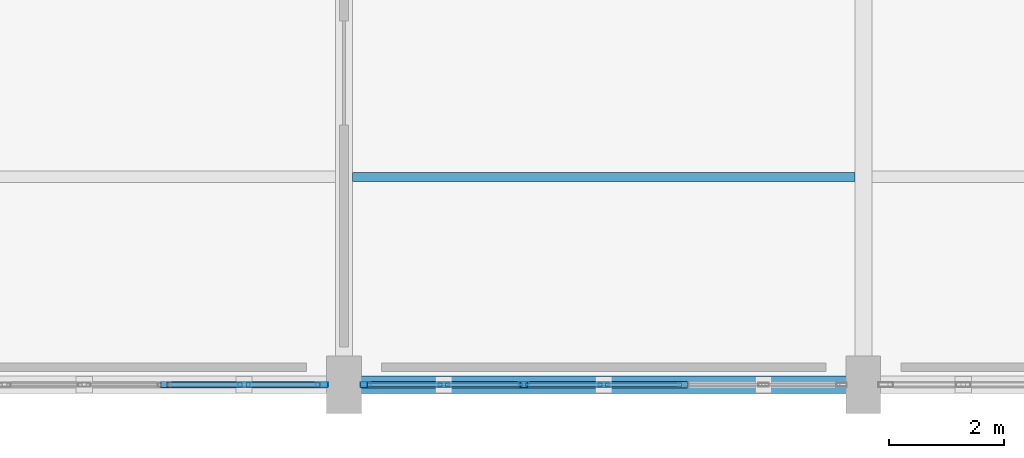
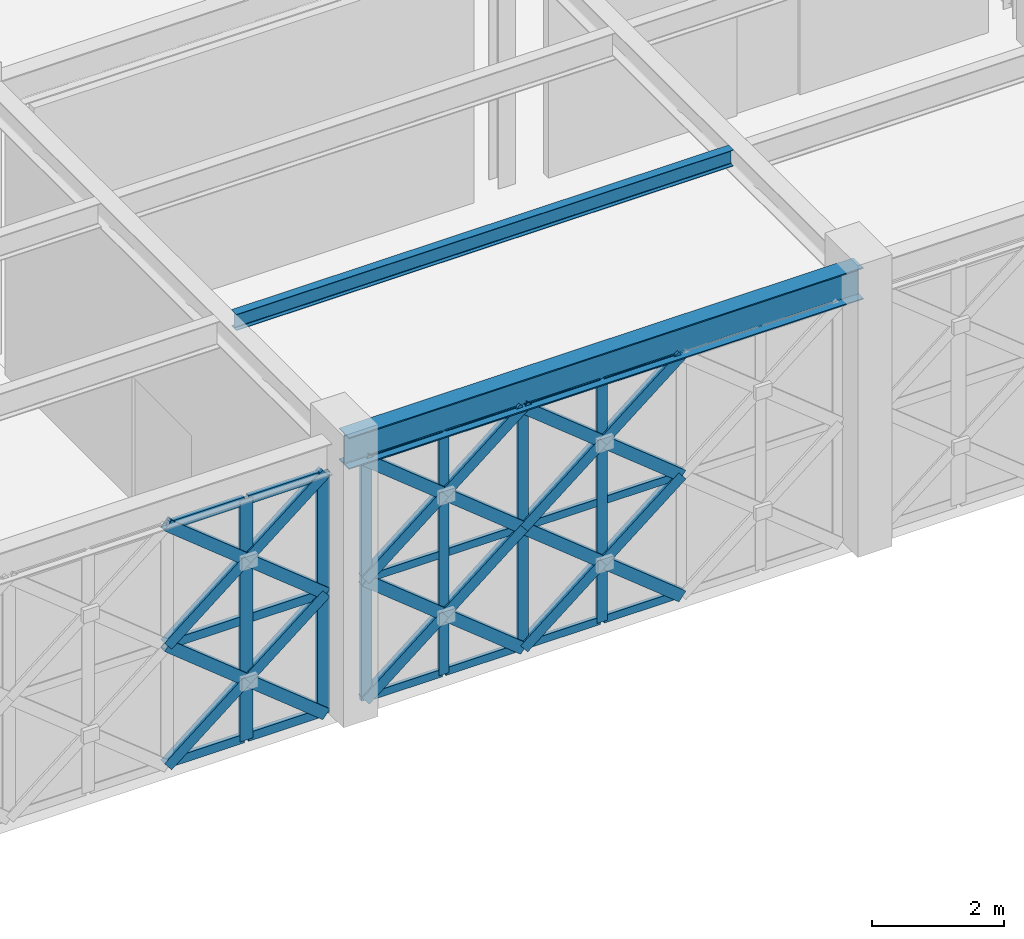
# One storey, part 37 of 155: 42 members, 2 beams, 2 elements without a shape of their own.
"""IFC4 building model written with IfcOpenShell, lengths in metres."""

from ifc_helpers import new_model, si_unit, direction, frame, origin, origin_2d, place, context, subcontext, project, spatial, hollow_rectangle, i_section, extrude, material, material_profile, profile_set, type_object, element, aggregate, save


model = new_model("IFC4")

# Units and contexts
model_context = context("Model", 3, precision=1e-05, world=origin(), true_north=direction((0.0, 1.0)))
body_context = subcontext(model_context, "Body", "Model", "MODEL_VIEW")
ifc_project = project(units=[si_unit("LENGTHUNIT", "METRE"), si_unit("AREAUNIT", "SQUARE_METRE"), si_unit("VOLUMEUNIT", "CUBIC_METRE"), si_unit("PLANEANGLEUNIT", "RADIAN"), si_unit("MASSUNIT", "GRAM", prefix="KILO")], contexts=[model_context])

# Site, building, storey
site_placement = place(None, origin())
site = spatial("IfcSite", under=ifc_project, at=site_placement, CompositionType="ELEMENT")
building_placement = place(site_placement, origin())
building = spatial("IfcBuilding", under=site, at=building_placement, Name="Haizhuo Lancet Aquarium", CompositionType="ELEMENT")
storey_placement = place(building_placement, frame((0.0, 0.0, 10.800048828125)))
storey = spatial("IfcBuildingStorey", under=building, at=storey_placement, Name="L02", CompositionType="ELEMENT", Elevation=10.800048828125)

# Beam
ifc_material_1 = material(Name="Steel S355", Category="steel")
ifc_material_profile_1 = material_profile(ifc_material_1, i_section(OverallWidth=0.300048828125, OverallDepth=0.587890625, WebThickness=0.011962890625, FlangeThickness=0.02001953125, FilletRadius=0.02587890625, at=origin_2d()), Name="HM 588x300x12x20")
ifc_profile_set_1 = profile_set([ifc_material_profile_1], Name="Steel S355")
beam_type_1 = type_object("IfcBeamType", Name="BM-ST-HM588", PredefinedType="BEAM", material=ifc_profile_set_1)
beam_1_placement = place(storey_placement, frame((0.0, -55.800048828125, 4.755859375), z_axis=(1.0, 0.0, 0.0), x_axis=(0.0, 1.0, 0.0)))
element("IfcBeam", 1, at=beam_1_placement, inside=storey, type_object=beam_type_1, Name="L02 V4 primary girder BM-L02-V4-015", PredefinedType="BEAM", context=body_context, shape_type="SweptSolid", body=[
    extrude(i_section(OverallWidth=0.300048828125, OverallDepth=0.587890625, WebThickness=0.011962890625, FlangeThickness=0.02001953125, FilletRadius=0.02587890625, at=origin_2d()), origin(), (0.0, 0.0, 1.0), 9.0),
])

# Curtain wall, members
ifc_material_2 = material(Name="Aluminium 6063-T6", Category="aluminium")
curtain_wall_type = type_object("IfcCurtainWallType", Name="CWO-8310x4460", PredefinedType="NOTDEFINED", material=ifc_material_2)
curtain_wall_1_placement = place(storey_placement, origin())
curtain_wall_1 = element("IfcCurtainWall", 2, at=curtain_wall_1_placement, inside=storey, type_object=curtain_wall_type, Name="L02 curtain wall CW-V4-L02-109", PredefinedType="NOTDEFINED")
ifc_material_profile_2 = material_profile(ifc_material_2, hollow_rectangle(XDim=0.06494140625, YDim=0.179931640625, WallThickness=0.00390625, at=origin_2d()), Name="ALU-M 65x180x4")
ifc_profile_set_2 = profile_set([ifc_material_profile_2], Name="Aluminium 6063-T6")
member_type_1 = type_object("IfcMemberType", Name="CW-MUL-1", PredefinedType="MULLION", material=ifc_profile_set_2)
member_1_placement = place(storey_placement, frame((4.5, -55.800048828125, 0.0), z_axis=(0.0, 0.0, 1.0), x_axis=(0.0, -1.0, 0.0)))
member_1 = element("IfcMember", 3, at=member_1_placement, type_object=member_type_1, Name="CWO-83x44 mullion 4", PredefinedType="MULLION", context=body_context, shape_type="SweptSolid", body=[
    extrude(hollow_rectangle(XDim=0.06494140625, YDim=0.179931640625, WallThickness=0.00390625, at=origin_2d()), origin(), (0.0, 0.0, 1.0), 4.4619140625),
])
member_2_placement = place(storey_placement, frame((3.114990234375, -55.800048828125, 0.0), z_axis=(0.0, 0.0, 1.0), x_axis=(0.0, -1.0, 0.0)))
member_2 = element("IfcMember", 4, at=member_2_placement, type_object=member_type_1, Name="CWO-83x44 mullion 5", PredefinedType="MULLION", context=body_context, shape_type="SweptSolid", body=[
    extrude(hollow_rectangle(XDim=0.06494140625, YDim=0.179931640625, WallThickness=0.00390625, at=origin_2d()), origin(), (0.0, 0.0, 1.0), 4.4619140625),
])
member_3_placement = place(storey_placement, frame((1.72998046875, -55.800048828125, 0.0), z_axis=(0.0, 0.0, 1.0), x_axis=(0.0, -1.0, 0.0)))
member_3 = element("IfcMember", 5, at=member_3_placement, type_object=member_type_1, Name="CWO-83x44 mullion 6", PredefinedType="MULLION", context=body_context, shape_type="SweptSolid", body=[
    extrude(hollow_rectangle(XDim=0.06494140625, YDim=0.179931640625, WallThickness=0.00390625, at=origin_2d()), origin(), (0.0, 0.0, 1.0), 4.4619140625),
])
member_4_placement = place(storey_placement, frame((0.3779296875, -55.800048828125, 0.0), z_axis=(0.0, 0.0, 1.0), x_axis=(0.0, -1.0, 0.0)))
member_4 = element("IfcMember", 6, at=member_4_placement, type_object=member_type_1, Name="CWO-83x44 mullion 7", PredefinedType="MULLION", context=body_context, shape_type="SweptSolid", body=[
    extrude(hollow_rectangle(XDim=0.06494140625, YDim=0.179931640625, WallThickness=0.00390625, at=origin_2d()), origin(), (0.0, 0.0, 1.0), 4.4619140625),
])

curtain_wall_2_placement = place(storey_placement, origin())
curtain_wall_2 = element("IfcCurtainWall", 7, at=curtain_wall_2_placement, inside=storey, type_object=curtain_wall_type, Name="L02 curtain wall CW-V4-L02-110", PredefinedType="NOTDEFINED")
ifc_material_profile_3 = material_profile(ifc_material_2, hollow_rectangle(XDim=0.074951171875, YDim=0.219970703125, WallThickness=0.0048828125, at=origin_2d()), Name="ALU-M 75x220x5")
ifc_profile_set_3 = profile_set([ifc_material_profile_3], Name="Aluminium 6063-T6")
member_type_2 = type_object("IfcMemberType", Name="CW-MUL-2", PredefinedType="MULLION", material=ifc_profile_set_3)
member_5_placement = place(storey_placement, frame((-0.382080078125, -55.800048828125, 0.0), z_axis=(0.0, 0.0, 1.0), x_axis=(0.0, -1.0, 0.0)))
member_5 = element("IfcMember", 8, at=member_5_placement, type_object=member_type_2, Name="CWO-83x44 mullion 1", PredefinedType="MULLION", context=body_context, shape_type="SweptSolid", body=[
    extrude(hollow_rectangle(XDim=0.074951171875, YDim=0.219970703125, WallThickness=0.0048828125, at=origin_2d()), origin(), (0.0, 0.0, 1.0), 4.4619140625),
])
member_6_placement = place(storey_placement, frame((-1.72998046875, -55.800048828125, 0.0), z_axis=(0.0, 0.0, 1.0), x_axis=(0.0, -1.0, 0.0)))
member_6 = element("IfcMember", 9, at=member_6_placement, type_object=member_type_2, Name="CWO-83x44 mullion 2", PredefinedType="MULLION", context=body_context, shape_type="SweptSolid", body=[
    extrude(hollow_rectangle(XDim=0.074951171875, YDim=0.219970703125, WallThickness=0.0048828125, at=origin_2d()), origin(), (0.0, 0.0, 1.0), 4.4619140625),
])

# Member
ifc_material_profile_4 = material_profile(ifc_material_2, hollow_rectangle(XDim=0.06494140625, YDim=0.139892578125, WallThickness=0.00390625, at=origin_2d()), Name="ALU-T 65x140x4")
ifc_profile_set_4 = profile_set([ifc_material_profile_4], Name="Aluminium 6063-T6")
member_type_3 = type_object("IfcMemberType", Name="CW-TRN-1", PredefinedType="NOTDEFINED", material=ifc_profile_set_4)
member_7_placement = place(storey_placement, frame((5.85205078125, -55.800048828125, 0.032958984375), z_axis=(-1.0, 0.0, 0.0), x_axis=(0.0, -1.0, 0.0)))
member_7 = element("IfcMember", 10, at=member_7_placement, type_object=member_type_3, Name="CWO-83x44 transom 3.1", ObjectType="TRANSOM", PredefinedType="USERDEFINED", context=body_context, shape_type="SweptSolid", body=[
    extrude(hollow_rectangle(XDim=0.06494140625, YDim=0.139892578125, WallThickness=0.00390625, at=origin_2d()), origin(), (0.0, 0.0, 1.0), 1.320068359375),
])

member_8_placement = place(storey_placement, frame((5.85205078125, -55.800048828125, 2.23095703125), z_axis=(-1.0, 0.0, 0.0), x_axis=(0.0, -1.0, 0.0)))
member_8 = element("IfcMember", 11, at=member_8_placement, type_object=member_type_3, Name="CWO-83x44 transom 3.2", ObjectType="TRANSOM", PredefinedType="USERDEFINED", context=body_context, shape_type="SweptSolid", body=[
    extrude(hollow_rectangle(XDim=0.06494140625, YDim=0.139892578125, WallThickness=0.00390625, at=origin_2d()), origin(), (0.0, 0.0, 1.0), 1.320068359375),
])

member_9_placement = place(storey_placement, frame((5.85205078125, -55.800048828125, 4.428955078125), z_axis=(-1.0, 0.0, 0.0), x_axis=(0.0, -1.0, 0.0)))
member_9 = element("IfcMember", 12, at=member_9_placement, type_object=member_type_3, Name="CWO-83x44 transom 3.3", ObjectType="TRANSOM", PredefinedType="USERDEFINED", context=body_context, shape_type="SweptSolid", body=[
    extrude(hollow_rectangle(XDim=0.06494140625, YDim=0.139892578125, WallThickness=0.00390625, at=origin_2d()), origin(), (0.0, 0.0, 1.0), 1.320068359375),
])

member_10_placement = place(storey_placement, frame((4.468017578125, -55.800048828125, 0.032958984375), z_axis=(-1.0, 0.0, 0.0), x_axis=(0.0, -1.0, 0.0)))
member_10 = element("IfcMember", 13, at=member_10_placement, type_object=member_type_3, Name="CWO-83x44 transom 4.1", ObjectType="TRANSOM", PredefinedType="USERDEFINED", context=body_context, shape_type="SweptSolid", body=[
    extrude(hollow_rectangle(XDim=0.06494140625, YDim=0.139892578125, WallThickness=0.00390625, at=origin_2d()), origin(), (0.0, 0.0, 1.0), 1.321044921875),
])

member_11_placement = place(storey_placement, frame((4.468017578125, -55.800048828125, 2.23095703125), z_axis=(-1.0, 0.0, 0.0), x_axis=(0.0, -1.0, 0.0)))
member_11 = element("IfcMember", 14, at=member_11_placement, type_object=member_type_3, Name="CWO-83x44 transom 4.2", ObjectType="TRANSOM", PredefinedType="USERDEFINED", context=body_context, shape_type="SweptSolid", body=[
    extrude(hollow_rectangle(XDim=0.06494140625, YDim=0.139892578125, WallThickness=0.00390625, at=origin_2d()), origin(), (0.0, 0.0, 1.0), 1.321044921875),
])

member_12_placement = place(storey_placement, frame((4.468017578125, -55.800048828125, 4.428955078125), z_axis=(-1.0, 0.0, 0.0), x_axis=(0.0, -1.0, 0.0)))
member_12 = element("IfcMember", 15, at=member_12_placement, type_object=member_type_3, Name="CWO-83x44 transom 4.3", ObjectType="TRANSOM", PredefinedType="USERDEFINED", context=body_context, shape_type="SweptSolid", body=[
    extrude(hollow_rectangle(XDim=0.06494140625, YDim=0.139892578125, WallThickness=0.00390625, at=origin_2d()), origin(), (0.0, 0.0, 1.0), 1.321044921875),
])

member_13_placement = place(storey_placement, frame((3.0830078125, -55.800048828125, 0.032958984375), z_axis=(-1.0, 0.0, 0.0), x_axis=(0.0, -1.0, 0.0)))
member_13 = element("IfcMember", 16, at=member_13_placement, type_object=member_type_3, Name="CWO-83x44 transom 5.1", ObjectType="TRANSOM", PredefinedType="USERDEFINED", context=body_context, shape_type="SweptSolid", body=[
    extrude(hollow_rectangle(XDim=0.06494140625, YDim=0.139892578125, WallThickness=0.00390625, at=origin_2d()), origin(), (0.0, 0.0, 1.0), 1.320068359375),
])

member_14_placement = place(storey_placement, frame((3.0830078125, -55.800048828125, 2.23095703125), z_axis=(-1.0, 0.0, 0.0), x_axis=(0.0, -1.0, 0.0)))
member_14 = element("IfcMember", 17, at=member_14_placement, type_object=member_type_3, Name="CWO-83x44 transom 5.2", ObjectType="TRANSOM", PredefinedType="USERDEFINED", context=body_context, shape_type="SweptSolid", body=[
    extrude(hollow_rectangle(XDim=0.06494140625, YDim=0.139892578125, WallThickness=0.00390625, at=origin_2d()), origin(), (0.0, 0.0, 1.0), 1.320068359375),
])

member_15_placement = place(storey_placement, frame((3.0830078125, -55.800048828125, 4.428955078125), z_axis=(-1.0, 0.0, 0.0), x_axis=(0.0, -1.0, 0.0)))
member_15 = element("IfcMember", 18, at=member_15_placement, type_object=member_type_3, Name="CWO-83x44 transom 5.3", ObjectType="TRANSOM", PredefinedType="USERDEFINED", context=body_context, shape_type="SweptSolid", body=[
    extrude(hollow_rectangle(XDim=0.06494140625, YDim=0.139892578125, WallThickness=0.00390625, at=origin_2d()), origin(), (0.0, 0.0, 1.0), 1.320068359375),
])

member_16_placement = place(storey_placement, frame((1.697998046875, -55.800048828125, 0.032958984375), z_axis=(-1.0, 0.0, 0.0), x_axis=(0.0, -1.0, 0.0)))
member_16 = element("IfcMember", 19, at=member_16_placement, type_object=member_type_3, Name="CWO-83x44 transom 6.1", ObjectType="TRANSOM", PredefinedType="USERDEFINED", context=body_context, shape_type="SweptSolid", body=[
    extrude(hollow_rectangle(XDim=0.06494140625, YDim=0.139892578125, WallThickness=0.00390625, at=origin_2d()), origin(), (0.0, 0.0, 1.0), 1.2880859375),
])

member_17_placement = place(storey_placement, frame((1.697998046875, -55.800048828125, 2.23095703125), z_axis=(-1.0, 0.0, 0.0), x_axis=(0.0, -1.0, 0.0)))
member_17 = element("IfcMember", 20, at=member_17_placement, type_object=member_type_3, Name="CWO-83x44 transom 6.2", ObjectType="TRANSOM", PredefinedType="USERDEFINED", context=body_context, shape_type="SweptSolid", body=[
    extrude(hollow_rectangle(XDim=0.06494140625, YDim=0.139892578125, WallThickness=0.00390625, at=origin_2d()), origin(), (0.0, 0.0, 1.0), 1.2880859375),
])

member_18_placement = place(storey_placement, frame((1.697998046875, -55.800048828125, 4.428955078125), z_axis=(-1.0, 0.0, 0.0), x_axis=(0.0, -1.0, 0.0)))
member_18 = element("IfcMember", 21, at=member_18_placement, type_object=member_type_3, Name="CWO-83x44 transom 6.3", ObjectType="TRANSOM", PredefinedType="USERDEFINED", context=body_context, shape_type="SweptSolid", body=[
    extrude(hollow_rectangle(XDim=0.06494140625, YDim=0.139892578125, WallThickness=0.00390625, at=origin_2d()), origin(), (0.0, 0.0, 1.0), 1.2880859375),
])

aggregate(curtain_wall_1, [member_1, member_2, member_3, member_4, member_7, member_8, member_9, member_10, member_11, member_12, member_13, member_14, member_15, member_16, member_17, member_18])

ifc_material_profile_5 = material_profile(ifc_material_2, hollow_rectangle(XDim=0.074951171875, YDim=0.159912109375, WallThickness=0.00390625, at=origin_2d()), Name="ALU-T 75x160x4")
ifc_profile_set_5 = profile_set([ifc_material_profile_5], Name="Aluminium 6063-T6")
member_type_4 = type_object("IfcMemberType", Name="CW-TRN-2", PredefinedType="NOTDEFINED", material=ifc_profile_set_5)
member_19_placement = place(storey_placement, frame((-0.419921875, -55.800048828125, 0.037841796875), z_axis=(-1.0, 0.0, 0.0), x_axis=(0.0, -1.0, 0.0)))
member_19 = element("IfcMember", 22, at=member_19_placement, type_object=member_type_4, Name="CWO-83x44 transom 1.1", ObjectType="TRANSOM", PredefinedType="USERDEFINED", context=body_context, shape_type="SweptSolid", body=[
    extrude(hollow_rectangle(XDim=0.074951171875, YDim=0.159912109375, WallThickness=0.00390625, at=origin_2d()), origin(), (0.0, 0.0, 1.0), 1.27197265625),
])

member_20_placement = place(storey_placement, frame((-0.419921875, -55.800048828125, 2.23095703125), z_axis=(-1.0, 0.0, 0.0), x_axis=(0.0, -1.0, 0.0)))
member_20 = element("IfcMember", 23, at=member_20_placement, type_object=member_type_4, Name="CWO-83x44 transom 1.2", ObjectType="TRANSOM", PredefinedType="USERDEFINED", context=body_context, shape_type="SweptSolid", body=[
    extrude(hollow_rectangle(XDim=0.074951171875, YDim=0.159912109375, WallThickness=0.00390625, at=origin_2d()), origin(), (0.0, 0.0, 1.0), 1.27197265625),
])

member_21_placement = place(storey_placement, frame((-0.419921875, -55.800048828125, 4.425048828125), z_axis=(-1.0, 0.0, 0.0), x_axis=(0.0, -1.0, 0.0)))
member_21 = element("IfcMember", 24, at=member_21_placement, type_object=member_type_4, Name="CWO-83x44 transom 1.3", ObjectType="TRANSOM", PredefinedType="USERDEFINED", context=body_context, shape_type="SweptSolid", body=[
    extrude(hollow_rectangle(XDim=0.074951171875, YDim=0.159912109375, WallThickness=0.00390625, at=origin_2d()), origin(), (0.0, 0.0, 1.0), 1.27197265625),
])

member_22_placement = place(storey_placement, frame((-1.76708984375, -55.800048828125, 0.037841796875), z_axis=(-1.0, 0.0, 0.0), x_axis=(0.0, -1.0, 0.0)))
member_22 = element("IfcMember", 25, at=member_22_placement, type_object=member_type_4, Name="CWO-83x44 transom 2.1", ObjectType="TRANSOM", PredefinedType="USERDEFINED", context=body_context, shape_type="SweptSolid", body=[
    extrude(hollow_rectangle(XDim=0.074951171875, YDim=0.159912109375, WallThickness=0.00390625, at=origin_2d()), origin(), (0.0, 0.0, 1.0), 1.309814453125),
])

member_23_placement = place(storey_placement, frame((-1.76708984375, -55.800048828125, 2.23095703125), z_axis=(-1.0, 0.0, 0.0), x_axis=(0.0, -1.0, 0.0)))
member_23 = element("IfcMember", 26, at=member_23_placement, type_object=member_type_4, Name="CWO-83x44 transom 2.2", ObjectType="TRANSOM", PredefinedType="USERDEFINED", context=body_context, shape_type="SweptSolid", body=[
    extrude(hollow_rectangle(XDim=0.074951171875, YDim=0.159912109375, WallThickness=0.00390625, at=origin_2d()), origin(), (0.0, 0.0, 1.0), 1.309814453125),
])

member_24_placement = place(storey_placement, frame((-1.76708984375, -55.800048828125, 4.425048828125), z_axis=(-1.0, 0.0, 0.0), x_axis=(0.0, -1.0, 0.0)))
member_24 = element("IfcMember", 27, at=member_24_placement, type_object=member_type_4, Name="CWO-83x44 transom 2.3", ObjectType="TRANSOM", PredefinedType="USERDEFINED", context=body_context, shape_type="SweptSolid", body=[
    extrude(hollow_rectangle(XDim=0.074951171875, YDim=0.159912109375, WallThickness=0.00390625, at=origin_2d()), origin(), (0.0, 0.0, 1.0), 1.309814453125),
])

aggregate(curtain_wall_2, [member_5, member_6, member_19, member_20, member_21, member_22, member_23, member_24])

# Beam
ifc_material_profile_6 = material_profile(ifc_material_1, i_section(OverallWidth=0.14990234375, OverallDepth=0.300048828125, WebThickness=0.006591796875, FlangeThickness=0.009033203125, FilletRadius=0.012939453125, at=origin_2d()), Name="HN 300x150x6.5x9")
ifc_profile_set_6 = profile_set([ifc_material_profile_6], Name="Steel S355")
beam_type_2 = type_object("IfcBeamType", Name="JST-ST-HN300", PredefinedType="JOIST", material=ifc_profile_set_6)
beam_2_placement = place(storey_placement, frame((0.14990234375, -52.199951171875, 4.89990234375), z_axis=(1.0, 0.0, 0.0), x_axis=(0.0, 1.0, 0.0)))
element("IfcBeam", 28, at=beam_2_placement, inside=storey, type_object=beam_type_2, Name="L02 V4 secondary floor joist 11", PredefinedType="JOIST", context=body_context, shape_type="SweptSolid", body=[
    extrude(i_section(OverallWidth=0.14990234375, OverallDepth=0.300048828125, WebThickness=0.006591796875, FlangeThickness=0.009033203125, FilletRadius=0.012939453125, at=origin_2d()), origin(), (0.0, 0.0, 1.0), 8.7001953125),
])

# Members
ifc_material_profile_7 = material_profile(ifc_material_1, hollow_rectangle(XDim=0.1201171875, YDim=0.199951171875, WallThickness=0.008056640625, at=origin_2d()), Name="RHS 120x200x8")
ifc_profile_set_7 = profile_set([ifc_material_profile_7], Name="Steel S355")
member_type_5 = type_object("IfcMemberType", Name="MEM-LB-RHS120x200", PredefinedType="BRACE", material=ifc_profile_set_7)
member_25_placement = place(storey_placement, frame((5.885009765625, -55.800048828125, 0.0), z_axis=(-0.778815384678, 0.0, 0.627253215687), x_axis=(0.0, -1.0, 0.0)))
element("IfcMember", 29, at=member_25_placement, inside=storey, type_object=member_type_5, Name="Gothic lancet continuous diagonal brace CW-V4-L02-109 3A", PredefinedType="BRACE", context=body_context, shape_type="SweptSolid", body=[
    extrude(hollow_rectangle(XDim=0.1201171875, YDim=0.199951171875, WallThickness=0.008056640625, at=origin_2d()), origin(), (0.0, 0.0, 1.0), 3.556640625),
])
member_26_placement = place(storey_placement, frame((3.114990234375, -55.800048828125, 0.0), z_axis=(0.77868125898, 0.0, 0.62741971352), x_axis=(0.0, 1.0, 0.0)))
element("IfcMember", 30, at=member_26_placement, inside=storey, type_object=member_type_5, Name="Gothic lancet split diagonal brace CW-V4-L02-109 3B1", PredefinedType="BRACE", context=body_context, shape_type="SweptSolid", body=[
    extrude(hollow_rectangle(XDim=0.1201171875, YDim=0.199951171875, WallThickness=0.008056640625, at=origin_2d()), origin(), (0.0, 0.0, 1.0), 1.778564453125),
])
member_27_placement = place(storey_placement, frame((4.5, -55.800048828125, 1.115966796875), z_axis=(0.778949520963, 0.0, 0.627086631807), x_axis=(0.0, 1.0, 0.0)))
element("IfcMember", 31, at=member_27_placement, inside=storey, type_object=member_type_5, Name="Gothic lancet split diagonal brace CW-V4-L02-109 3B2", PredefinedType="BRACE", context=body_context, shape_type="SweptSolid", body=[
    extrude(hollow_rectangle(XDim=0.1201171875, YDim=0.199951171875, WallThickness=0.008056640625, at=origin_2d()), origin(), (0.0, 0.0, 1.0), 1.778076171875),
])
member_28_placement = place(storey_placement, frame((5.885009765625, -55.800048828125, 2.23095703125), z_axis=(-0.778815384678, 0.0, 0.627253215687), x_axis=(0.0, -1.0, 0.0)))
element("IfcMember", 32, at=member_28_placement, inside=storey, type_object=member_type_5, Name="Gothic lancet continuous diagonal brace CW-V4-L02-109 4A", PredefinedType="BRACE", context=body_context, shape_type="SweptSolid", body=[
    extrude(hollow_rectangle(XDim=0.1201171875, YDim=0.199951171875, WallThickness=0.008056640625, at=origin_2d()), origin(), (0.0, 0.0, 1.0), 3.556640625),
])
member_29_placement = place(storey_placement, frame((3.114990234375, -55.800048828125, 2.23095703125), z_axis=(0.778949520963, 0.0, 0.627086631807), x_axis=(0.0, 1.0, 0.0)))
element("IfcMember", 33, at=member_29_placement, inside=storey, type_object=member_type_5, Name="Gothic lancet split diagonal brace CW-V4-L02-109 4B1", PredefinedType="BRACE", context=body_context, shape_type="SweptSolid", body=[
    extrude(hollow_rectangle(XDim=0.1201171875, YDim=0.199951171875, WallThickness=0.008056640625, at=origin_2d()), origin(), (0.0, 0.0, 1.0), 1.778076171875),
])
member_30_placement = place(storey_placement, frame((4.5, -55.800048828125, 3.345947265625), z_axis=(0.77868125898, 0.0, 0.62741971352), x_axis=(0.0, 1.0, 0.0)))
element("IfcMember", 34, at=member_30_placement, inside=storey, type_object=member_type_5, Name="Gothic lancet split diagonal brace CW-V4-L02-109 4B2", PredefinedType="BRACE", context=body_context, shape_type="SweptSolid", body=[
    extrude(hollow_rectangle(XDim=0.1201171875, YDim=0.199951171875, WallThickness=0.008056640625, at=origin_2d()), origin(), (0.0, 0.0, 1.0), 1.778564453125),
])
member_31_placement = place(storey_placement, frame((3.114990234375, -55.800048828125, 0.0), z_axis=(-0.778815384678, 0.0, 0.627253215687), x_axis=(0.0, -1.0, 0.0)))
element("IfcMember", 35, at=member_31_placement, inside=storey, type_object=member_type_5, Name="Gothic lancet continuous diagonal brace CW-V4-L02-109 5A", PredefinedType="BRACE", context=body_context, shape_type="SweptSolid", body=[
    extrude(hollow_rectangle(XDim=0.1201171875, YDim=0.199951171875, WallThickness=0.008056640625, at=origin_2d()), origin(), (0.0, 0.0, 1.0), 3.556640625),
])
member_32_placement = place(storey_placement, frame((0.344970703125, -55.800048828125, 0.0), z_axis=(0.77868125898, 0.0, 0.62741971352), x_axis=(0.0, 1.0, 0.0)))
element("IfcMember", 36, at=member_32_placement, inside=storey, type_object=member_type_5, Name="Gothic lancet split diagonal brace CW-V4-L02-109 5B1", PredefinedType="BRACE", context=body_context, shape_type="SweptSolid", body=[
    extrude(hollow_rectangle(XDim=0.1201171875, YDim=0.199951171875, WallThickness=0.008056640625, at=origin_2d()), origin(), (0.0, 0.0, 1.0), 1.778564453125),
])
member_33_placement = place(storey_placement, frame((1.72998046875, -55.800048828125, 1.115966796875), z_axis=(0.778949520963, 0.0, 0.627086631807), x_axis=(0.0, 1.0, 0.0)))
element("IfcMember", 37, at=member_33_placement, inside=storey, type_object=member_type_5, Name="Gothic lancet split diagonal brace CW-V4-L02-109 5B2", PredefinedType="BRACE", context=body_context, shape_type="SweptSolid", body=[
    extrude(hollow_rectangle(XDim=0.1201171875, YDim=0.199951171875, WallThickness=0.008056640625, at=origin_2d()), origin(), (0.0, 0.0, 1.0), 1.778076171875),
])
member_34_placement = place(storey_placement, frame((3.114990234375, -55.800048828125, 2.23095703125), z_axis=(-0.778815384678, 0.0, 0.627253215687), x_axis=(0.0, -1.0, 0.0)))
element("IfcMember", 38, at=member_34_placement, inside=storey, type_object=member_type_5, Name="Gothic lancet continuous diagonal brace CW-V4-L02-109 6A", PredefinedType="BRACE", context=body_context, shape_type="SweptSolid", body=[
    extrude(hollow_rectangle(XDim=0.1201171875, YDim=0.199951171875, WallThickness=0.008056640625, at=origin_2d()), origin(), (0.0, 0.0, 1.0), 3.556640625),
])
member_35_placement = place(storey_placement, frame((0.344970703125, -55.800048828125, 2.23095703125), z_axis=(0.778949520963, 0.0, 0.627086631807), x_axis=(0.0, 1.0, 0.0)))
element("IfcMember", 39, at=member_35_placement, inside=storey, type_object=member_type_5, Name="Gothic lancet split diagonal brace CW-V4-L02-109 6B1", PredefinedType="BRACE", context=body_context, shape_type="SweptSolid", body=[
    extrude(hollow_rectangle(XDim=0.1201171875, YDim=0.199951171875, WallThickness=0.008056640625, at=origin_2d()), origin(), (0.0, 0.0, 1.0), 1.778076171875),
])
member_36_placement = place(storey_placement, frame((1.72998046875, -55.800048828125, 3.345947265625), z_axis=(0.77868125898, 0.0, 0.62741971352), x_axis=(0.0, 1.0, 0.0)))
element("IfcMember", 40, at=member_36_placement, inside=storey, type_object=member_type_5, Name="Gothic lancet split diagonal brace CW-V4-L02-109 6B2", PredefinedType="BRACE", context=body_context, shape_type="SweptSolid", body=[
    extrude(hollow_rectangle(XDim=0.1201171875, YDim=0.199951171875, WallThickness=0.008056640625, at=origin_2d()), origin(), (0.0, 0.0, 1.0), 1.778564453125),
])
member_37_placement = place(storey_placement, frame((-0.344970703125, -55.800048828125, 0.0), z_axis=(-0.778815384678, 0.0, 0.627253215687), x_axis=(0.0, -1.0, 0.0)))
element("IfcMember", 41, at=member_37_placement, inside=storey, type_object=member_type_5, Name="Gothic lancet continuous diagonal brace CW-V4-L02-110 1A", PredefinedType="BRACE", context=body_context, shape_type="SweptSolid", body=[
    extrude(hollow_rectangle(XDim=0.1201171875, YDim=0.199951171875, WallThickness=0.008056640625, at=origin_2d()), origin(), (0.0, 0.0, 1.0), 3.556640625),
])
member_38_placement = place(storey_placement, frame((-3.114990234375, -55.800048828125, 0.0), z_axis=(0.77868125898, 0.0, 0.62741971352), x_axis=(0.0, 1.0, 0.0)))
element("IfcMember", 42, at=member_38_placement, inside=storey, type_object=member_type_5, Name="Gothic lancet split diagonal brace CW-V4-L02-110 1B1", PredefinedType="BRACE", context=body_context, shape_type="SweptSolid", body=[
    extrude(hollow_rectangle(XDim=0.1201171875, YDim=0.199951171875, WallThickness=0.008056640625, at=origin_2d()), origin(), (0.0, 0.0, 1.0), 1.778564453125),
])
member_39_placement = place(storey_placement, frame((-1.72998046875, -55.800048828125, 1.115966796875), z_axis=(0.778949520963, 0.0, 0.627086631807), x_axis=(0.0, 1.0, 0.0)))
element("IfcMember", 43, at=member_39_placement, inside=storey, type_object=member_type_5, Name="Gothic lancet split diagonal brace CW-V4-L02-110 1B2", PredefinedType="BRACE", context=body_context, shape_type="SweptSolid", body=[
    extrude(hollow_rectangle(XDim=0.1201171875, YDim=0.199951171875, WallThickness=0.008056640625, at=origin_2d()), origin(), (0.0, 0.0, 1.0), 1.778076171875),
])
member_40_placement = place(storey_placement, frame((-0.344970703125, -55.800048828125, 2.23095703125), z_axis=(-0.778815384678, 0.0, 0.627253215687), x_axis=(0.0, -1.0, 0.0)))
element("IfcMember", 44, at=member_40_placement, inside=storey, type_object=member_type_5, Name="Gothic lancet continuous diagonal brace CW-V4-L02-110 2A", PredefinedType="BRACE", context=body_context, shape_type="SweptSolid", body=[
    extrude(hollow_rectangle(XDim=0.1201171875, YDim=0.199951171875, WallThickness=0.008056640625, at=origin_2d()), origin(), (0.0, 0.0, 1.0), 3.556640625),
])
member_41_placement = place(storey_placement, frame((-3.114990234375, -55.800048828125, 2.23095703125), z_axis=(0.778949520963, 0.0, 0.627086631807), x_axis=(0.0, 1.0, 0.0)))
element("IfcMember", 45, at=member_41_placement, inside=storey, type_object=member_type_5, Name="Gothic lancet split diagonal brace CW-V4-L02-110 2B1", PredefinedType="BRACE", context=body_context, shape_type="SweptSolid", body=[
    extrude(hollow_rectangle(XDim=0.1201171875, YDim=0.199951171875, WallThickness=0.008056640625, at=origin_2d()), origin(), (0.0, 0.0, 1.0), 1.778076171875),
])
member_42_placement = place(storey_placement, frame((-1.72998046875, -55.800048828125, 3.345947265625), z_axis=(0.77868125898, 0.0, 0.62741971352), x_axis=(0.0, 1.0, 0.0)))
element("IfcMember", 46, at=member_42_placement, inside=storey, type_object=member_type_5, Name="Gothic lancet split diagonal brace CW-V4-L02-110 2B2", PredefinedType="BRACE", context=body_context, shape_type="SweptSolid", body=[
    extrude(hollow_rectangle(XDim=0.1201171875, YDim=0.199951171875, WallThickness=0.008056640625, at=origin_2d()), origin(), (0.0, 0.0, 1.0), 1.778564453125),
])

save(model, "model.ifc")
